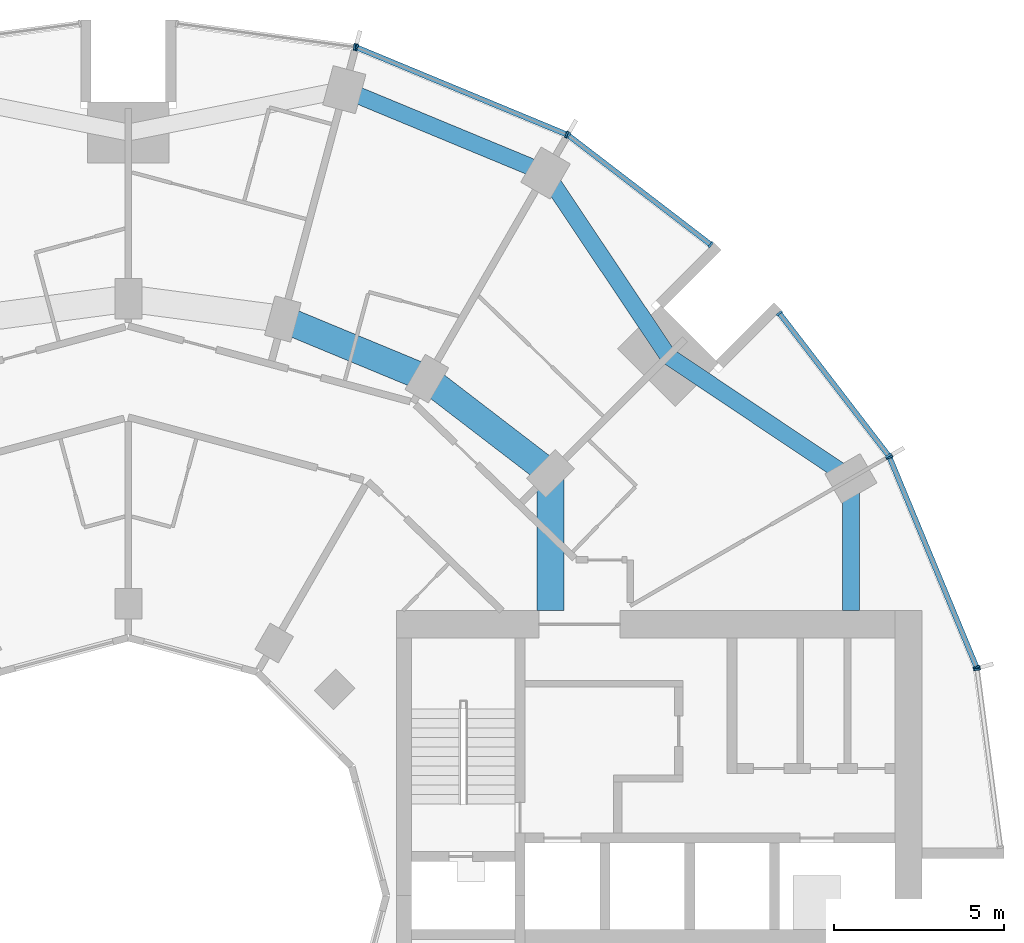
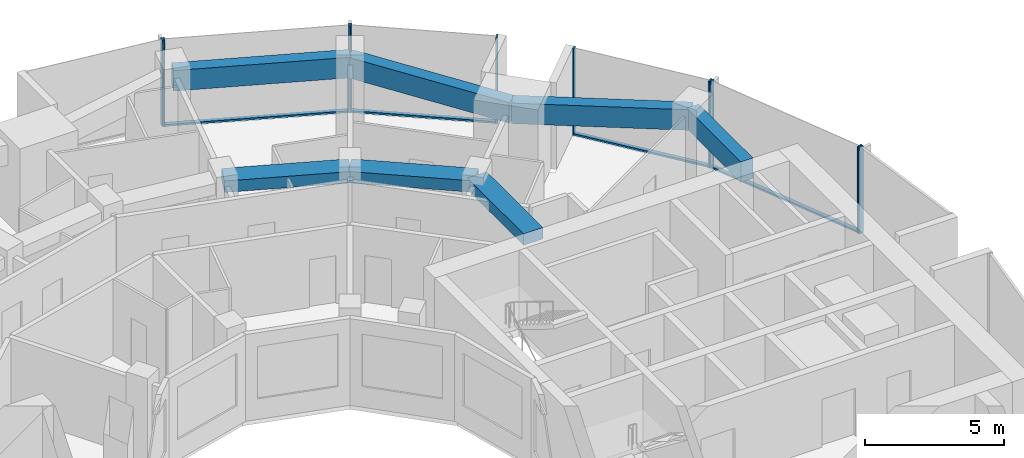
# One storey, part 6 of 15: 14 members, 7 beams, 6 elements without a shape of their own.
"""IFC4 building model written with IfcOpenShell, lengths in metres."""

import ifcopenshell
import ifcopenshell.guid

model = None  # the IFC model being written
_history = None  # IfcOwnerHistory: only IFC2X3 demands one
_inside = {}  # id of a spatial element -> (the spatial element, [elements in it])
_under = {}  # id of a project, library or spatial element -> (it, [spatial elements below it])
_declared = {}  # id of a project -> (the project, [libraries it declares])
_typed = {}  # id of a type object -> (the type object, [elements of that type])
_made_of = {}  # id of a material, layer set ... -> (it, [elements and type objects made of it])


def new_model(schema):
    """Start an empty IFC model of exactly this schema.

    Asked for "IFC4X3", IfcOpenShell would pick the latest addendum, in which some entities
    have other attributes; the version numbers below select the first issue.
    IFC2X3 requires an IfcOwnerHistory on every rooted entity: one is made here for all.
    """
    global model, _history
    if schema == "IFC4X3":
        model = ifcopenshell.file(schema_version=(4, 3, 0, 0))
    else:
        model = ifcopenshell.file(schema=schema)
    _inside.clear()
    _under.clear()
    _declared.clear()
    _typed.clear()
    _made_of.clear()
    _history = None
    if model.schema == "IFC2X3":
        org = make("IfcOrganization", Name="unknown")
        user = make(
            "IfcPersonAndOrganization",
            ThePerson=make("IfcPerson", FamilyName="unknown"),
            TheOrganization=org,
        )
        app = make(
            "IfcApplication",
            ApplicationDeveloper=org,
            Version="unknown",
            ApplicationFullName="unknown",
            ApplicationIdentifier="unknown",
        )
        _history = make(
            "IfcOwnerHistory",
            OwningUser=user,
            OwningApplication=app,
            ChangeAction="ADDED",
            CreationDate=0,
        )
    return model


def make(cls, **values):
    """One entity of the class cls with the attributes given. An attribute that is None is left unset."""
    return model.create_entity(
        cls, **{name: value for name, value in values.items() if value is not None}
    )


def rooted(cls, **values):
    """An entity with a GlobalId (a new one), such as an element, a storey or a relation."""
    return make(cls, GlobalId=ifcopenshell.guid.new(), OwnerHistory=_history, **values)


def si_unit(unit_type, name, prefix=None):
    """IfcSIUnit, for example si_unit("LENGTHUNIT", "METRE", prefix="MILLI")."""
    return make("IfcSIUnit", UnitType=unit_type, Prefix=prefix, Name=name)


def assignment(units):
    """IfcUnitAssignment: the units of a project."""
    return None if units is None else make("IfcUnitAssignment", Units=units)


def point(xyz):
    """IfcCartesianPoint."""
    return None if xyz is None else make("IfcCartesianPoint", Coordinates=xyz)


def direction(xyz):
    """IfcDirection."""
    return None if xyz is None else make("IfcDirection", DirectionRatios=xyz)


def frame(location, z_axis=None, x_axis=None):
    """IfcAxis2Placement3D, a coordinate frame: its origin and axes. An axis left out is left unset."""
    return make(
        "IfcAxis2Placement3D",
        Location=point(location),
        Axis=direction(z_axis),
        RefDirection=direction(x_axis),
    )


def frame_2d(location, x_axis=None):
    """IfcAxis2Placement2D, a coordinate frame in the plane: its origin and x axis."""
    return make(
        "IfcAxis2Placement2D", Location=point(location), RefDirection=direction(x_axis)
    )


def origin():
    """The frame at (0, 0, 0) with its axes left unset."""
    return frame((0.0, 0.0, 0.0))


def origin_2d():
    """The frame at (0, 0) in the plane with its x axis left unset."""
    return frame_2d((0.0, 0.0))


def place(relative_to, where):
    """IfcLocalPlacement: puts the frame where relative to a parent placement (None: the world)."""
    return make(
        "IfcLocalPlacement", PlacementRelTo=relative_to, RelativePlacement=where
    )


def context(
    kind, dimensions, precision=None, world=None, true_north=None, identifier=None
):
    """IfcGeometricRepresentationContext, for example the 3D "Model" context."""
    return make(
        "IfcGeometricRepresentationContext",
        ContextIdentifier=identifier,
        ContextType=kind,
        CoordinateSpaceDimension=dimensions,
        Precision=precision,
        WorldCoordinateSystem=world,
        TrueNorth=true_north,
    )


def subcontext(parent, identifier, kind, view, scale=None):
    """IfcGeometricRepresentationSubContext, for example "Body" below "Model"."""
    return make(
        "IfcGeometricRepresentationSubContext",
        ContextIdentifier=identifier,
        ContextType=kind,
        ParentContext=parent,
        TargetScale=scale,
        TargetView=view,
    )


def project(units=None, contexts=None):
    """IfcProject with its units and contexts."""
    return rooted(
        "IfcProject",
        Name="project",
        RepresentationContexts=contexts,
        UnitsInContext=assignment(units),
    )


def spatial(cls, under=None, at=None, **own):
    """A site, building, storey or space (cls), placed at a placement, below another one or the project."""
    s = rooted(cls, ObjectPlacement=at, **own)
    if under is not None:
        _under.setdefault(under.id(), (under, []))[1].append(s)
    return s


def profile(cls, at=None, kind="AREA", **sizes):
    """A parametric profile (cls). Its sizes go by their IFC names, for example OverallWidth=200.0."""
    return make(cls, ProfileType=kind, Position=at, **sizes)


def rectangle(**sizes):
    """IfcRectangleProfileDef."""
    return profile("IfcRectangleProfileDef", **sizes)


def extrude(swept, where, along, depth):
    """IfcExtrudedAreaSolid: the profile swept, set in the frame where, extruded along a direction by depth."""
    return make(
        "IfcExtrudedAreaSolid",
        SweptArea=swept,
        Position=where,
        ExtrudedDirection=direction(along),
        Depth=depth,
    )


def shape(context_of_items, identifier, shape_type, items):
    """IfcShapeRepresentation: the items that make up one representation, for example the "Body"."""
    return make(
        "IfcShapeRepresentation",
        ContextOfItems=context_of_items,
        RepresentationIdentifier=identifier,
        RepresentationType=shape_type,
        Items=items,
    )


def material(Name=None, Category=None):
    """IfcMaterial."""
    return make("IfcMaterial", Name=Name, Category=Category)


def layer(
    of_material, thickness, ventilated=None, Name=None, Category=None, Priority=None
):
    """IfcMaterialLayer: one layer of a wall or slab, of a material (None: an air gap)."""
    return make(
        "IfcMaterialLayer",
        Material=of_material,
        LayerThickness=thickness,
        IsVentilated=ventilated,
        Name=Name,
        Category=Category,
        Priority=Priority,
    )


def layer_set(layers, Name=None):
    """IfcMaterialLayerSet."""
    return make("IfcMaterialLayerSet", MaterialLayers=layers, LayerSetName=Name)


def material_profile(
    of_material, cross_section, Name=None, Category=None, Priority=None
):
    """IfcMaterialProfile: a cross section and its material."""
    return make(
        "IfcMaterialProfile",
        Name=Name,
        Material=of_material,
        Profile=cross_section,
        Priority=Priority,
        Category=Category,
    )


def profile_set(profiles, Name=None, composite=None):
    """IfcMaterialProfileSet."""
    return make(
        "IfcMaterialProfileSet",
        Name=Name,
        MaterialProfiles=profiles,
        CompositeProfile=composite,
    )


def made_of(thing, what):
    """Note that an element or type object is made of a material, layer set ...; save() writes the relation."""
    if what is not None:
        _made_of.setdefault(what.id(), (what, []))[1].append(thing)
    return thing


def type_object(cls, material=None, **own):
    """A type object (cls), such as IfcWallType, which elements share."""
    return made_of(rooted(cls, **own), material)


def element(
    cls,
    number,
    at=None,
    inside=None,
    cuts=None,
    type_object=None,
    material=None,
    context=None,
    identifier="Body",
    shape_type=None,
    held_by="IfcProductDefinitionShape",
    body=None,
    shapes=None,
    **own,
):
    """One element of the class cls, such as IfcWall. Its Tag is "e" and its number.

    at: its placement. inside: the storey or other place that contains it. cuts: it is an
    opening in that element (IfcRelVoidsElement). A single representation is given by context,
    identifier, shape_type and body (its items); several are given by shapes. held_by: the class
    of the entity that holds the representations. save() writes the other relations.
    """
    e = rooted(cls, Tag="e%d" % number, ObjectPlacement=at, **own)
    if body is not None:
        shapes = [shape(context, identifier, shape_type, body)]
    if shapes is not None:
        e.Representation = make(held_by, Representations=shapes)
    if inside is not None:
        _inside.setdefault(inside.id(), (inside, []))[1].append(e)
    if cuts is not None:
        rooted(
            "IfcRelVoidsElement", RelatingBuildingElement=cuts, RelatedOpeningElement=e
        )
    if type_object is not None:
        _typed.setdefault(type_object.id(), (type_object, []))[1].append(e)
    return made_of(e, material)


def aggregate(whole, parts):
    """IfcRelAggregates: a whole, such as a stair, and the parts it consists of."""
    return rooted("IfcRelAggregates", RelatingObject=whole, RelatedObjects=parts)


def save(model, path):
    """Write the relations noted so far, then the file.

    IfcRelAggregates (storeys below a building ...), IfcRelContainedInSpatialStructure (elements
    in a storey), IfcRelDefinesByType, IfcRelAssociatesMaterial and IfcRelDeclares: one each for
    every whole, place, type object, material and project.
    """
    for whole, parts in _under.values():
        aggregate(whole, parts)
    for where, things in _inside.values():
        rooted(
            "IfcRelContainedInSpatialStructure",
            RelatedElements=things,
            RelatingStructure=where,
        )
    for kind, things in _typed.values():
        rooted("IfcRelDefinesByType", RelatedObjects=things, RelatingType=kind)
    for what, things in _made_of.values():
        rooted("IfcRelAssociatesMaterial", RelatedObjects=things, RelatingMaterial=what)
    for by, libraries in _declared.values():
        rooted("IfcRelDeclares", RelatingContext=by, RelatedDefinitions=libraries)
    model.write(path)


model = new_model("IFC4")

# Units and contexts
model_context = context("Model", 3, precision=1e-05, world=origin(), true_north=direction((0.0, 1.0)))
body_context = subcontext(model_context, "Body", "Model", "MODEL_VIEW")
ifc_project = project(units=[si_unit("LENGTHUNIT", "METRE"), si_unit("AREAUNIT", "SQUARE_METRE"), si_unit("VOLUMEUNIT", "CUBIC_METRE"), si_unit("PLANEANGLEUNIT", "RADIAN"), si_unit("MASSUNIT", "GRAM", prefix="KILO")], contexts=[model_context])

# Site, building, storey
site_placement = place(None, origin())
site = spatial("IfcSite", under=ifc_project, at=site_placement, CompositionType="ELEMENT")
building_placement = place(site_placement, origin())
building = spatial("IfcBuilding", under=site, at=building_placement, Name="Torre Brocal", CompositionType="ELEMENT")
storey_placement = place(building_placement, frame((0.0, 0.0, 105.199951171875)))
storey = spatial("IfcBuildingStorey", under=building, at=storey_placement, Name="L24", CompositionType="ELEMENT", Elevation=105.199951171875)

# Curtain wall, members
ifc_material_1 = material(Name="Aluminium and glass", Category="aluminium")
ifc_layer_1 = layer(ifc_material_1, 0.199951171875)
ifc_layer_set_1 = layer_set([ifc_layer_1], Name="Aluminium and glass")
curtain_wall_type_1 = type_object("IfcCurtainWallType", Name="CW-1 CURTAIN WALL 3800 HIGH", PredefinedType="NOTDEFINED", material=ifc_layer_set_1)
curtain_wall_1_placement = place(storey_placement, origin())
curtain_wall_1 = element("IfcCurtainWall", 1, at=curtain_wall_1_placement, inside=storey, type_object=curtain_wall_type_1, Name="CW-1 RUN 2", PredefinedType="NOTDEFINED")
ifc_material_2 = material(Name="Aluminium, dark anodised", Category="aluminium")
ifc_material_profile_1 = material_profile(ifc_material_2, rectangle(XDim=0.199951171875, YDim=0.06005859375, at=origin_2d()), Name="CW-1 MULLION 60X200")
ifc_profile_set_1 = profile_set([ifc_material_profile_1], Name="Aluminium, dark anodised")
member_type_1 = type_object("IfcMemberType", Name="CW-1 MULLION 60X200", PredefinedType="MULLION", material=ifc_profile_set_1)
member_1_placement = place(storey_placement, frame((105.005126953125, 81.73095703125, 0.0), z_axis=(0.0, 0.0, 1.0), x_axis=(-0.923879532525, -0.382683432333, 0.0)))
member_1 = element("IfcMember", 2, at=member_1_placement, type_object=member_type_1, Name="CW1-1 mullion 1", PredefinedType="MULLION", context=body_context, shape_type="SweptSolid", body=[
    extrude(rectangle(XDim=0.199951171875, YDim=0.06005859375, at=origin_2d()), origin(), (0.0, 0.0, 1.0), 3.800048828125),
])
member_2_placement = place(storey_placement, frame((102.440673828125, 87.921875, 0.0), z_axis=(0.0, 0.0, 1.0), x_axis=(-0.923879532525, -0.382683432333, 0.0)))
member_2 = element("IfcMember", 3, at=member_2_placement, type_object=member_type_1, Name="CW1-1 mullion 2", PredefinedType="MULLION", context=body_context, shape_type="SweptSolid", body=[
    extrude(rectangle(XDim=0.199951171875, YDim=0.06005859375, at=origin_2d()), origin(), (0.0, 0.0, 1.0), 3.800048828125),
])

curtain_wall_2_placement = place(storey_placement, origin())
curtain_wall_2 = element("IfcCurtainWall", 4, at=curtain_wall_2_placement, inside=storey, type_object=curtain_wall_type_1, Name="CW-1 RUN 3", PredefinedType="NOTDEFINED")
member_3_placement = place(storey_placement, frame((102.4111328125, 87.973388671875, 0.0), z_axis=(0.0, 0.0, 1.0), x_axis=(-0.793353340259, -0.60876142905, 0.0)))
member_3 = element("IfcMember", 5, at=member_3_placement, type_object=member_type_1, Name="CW1-1 mullion 1", PredefinedType="MULLION", context=body_context, shape_type="SweptSolid", body=[
    extrude(rectangle(XDim=0.199951171875, YDim=0.06005859375, at=origin_2d()), origin(), (0.0, 0.0, 1.0), 3.800048828125),
])
member_4_placement = place(storey_placement, frame((99.19140625, 92.16943359375, 0.0), z_axis=(0.0, 0.0, 1.0), x_axis=(-0.793353340259, -0.60876142905, 0.0)))
member_4 = element("IfcMember", 6, at=member_4_placement, type_object=member_type_1, Name="CW1-1 mullion 2", PredefinedType="MULLION", context=body_context, shape_type="SweptSolid", body=[
    extrude(rectangle(XDim=0.199951171875, YDim=0.06005859375, at=origin_2d()), origin(), (0.0, 0.0, 1.0), 3.800048828125),
])

curtain_wall_3_placement = place(storey_placement, origin())
curtain_wall_3 = element("IfcCurtainWall", 7, at=curtain_wall_3_placement, inside=storey, type_object=curtain_wall_type_1, Name="CW-1 RUN 4", PredefinedType="NOTDEFINED")
member_5_placement = place(storey_placement, frame((97.16943359375, 94.19140625, 0.0), z_axis=(0.0, 0.0, 1.0), x_axis=(-0.60876142905, -0.793353340259, 0.0)))
member_5 = element("IfcMember", 8, at=member_5_placement, type_object=member_type_1, Name="CW1-1 mullion 1", PredefinedType="MULLION", context=body_context, shape_type="SweptSolid", body=[
    extrude(rectangle(XDim=0.199951171875, YDim=0.06005859375, at=origin_2d()), origin(), (0.0, 0.0, 1.0), 3.800048828125),
])
member_6_placement = place(storey_placement, frame((92.973388671875, 97.4111328125, 0.0), z_axis=(0.0, 0.0, 1.0), x_axis=(-0.60876142905, -0.793353340259, 0.0)))
member_6 = element("IfcMember", 9, at=member_6_placement, type_object=member_type_1, Name="CW1-1 mullion 2", PredefinedType="MULLION", context=body_context, shape_type="SweptSolid", body=[
    extrude(rectangle(XDim=0.199951171875, YDim=0.06005859375, at=origin_2d()), origin(), (0.0, 0.0, 1.0), 3.800048828125),
])

curtain_wall_4_placement = place(storey_placement, origin())
curtain_wall_4 = element("IfcCurtainWall", 10, at=curtain_wall_4_placement, inside=storey, type_object=curtain_wall_type_1, Name="CW-1 RUN 5", PredefinedType="NOTDEFINED")
member_7_placement = place(storey_placement, frame((92.921875, 97.440673828125, 0.0), z_axis=(0.0, 0.0, 1.0), x_axis=(-0.382683432333, -0.923879532525, 0.0)))
member_7 = element("IfcMember", 11, at=member_7_placement, type_object=member_type_1, Name="CW1-1 mullion 1", PredefinedType="MULLION", context=body_context, shape_type="SweptSolid", body=[
    extrude(rectangle(XDim=0.199951171875, YDim=0.06005859375, at=origin_2d()), origin(), (0.0, 0.0, 1.0), 3.800048828125),
])
member_8_placement = place(storey_placement, frame((86.73095703125, 100.005126953125, 0.0), z_axis=(0.0, 0.0, 1.0), x_axis=(-0.382683432333, -0.923879532525, 0.0)))
member_8 = element("IfcMember", 12, at=member_8_placement, type_object=member_type_1, Name="CW1-1 mullion 2", PredefinedType="MULLION", context=body_context, shape_type="SweptSolid", body=[
    extrude(rectangle(XDim=0.199951171875, YDim=0.06005859375, at=origin_2d()), origin(), (0.0, 0.0, 1.0), 3.800048828125),
])

# Curtain wall, member
curtain_wall_5_placement = place(storey_placement, origin())
curtain_wall_5 = element("IfcCurtainWall", 13, at=curtain_wall_5_placement, inside=storey, type_object=curtain_wall_type_1, Name="CW-1 RUN 6", PredefinedType="NOTDEFINED")
member_9_placement = place(storey_placement, frame((86.67333984375, 100.0205078125, 0.0), z_axis=(0.0, 0.0, 1.0), x_axis=(-0.13052619222, -0.991444861374, 0.0)))
member_9 = element("IfcMember", 14, at=member_9_placement, type_object=member_type_1, Name="CW1-1 mullion 1", PredefinedType="MULLION", context=body_context, shape_type="SweptSolid", body=[
    extrude(rectangle(XDim=0.199951171875, YDim=0.06005859375, at=origin_2d()), origin(), (0.0, 0.0, 1.0), 3.800048828125),
])
aggregate(curtain_wall_5, [member_9])

# Member
ifc_material_3 = material(Name="Aluminium, dark anodised", Category="aluminium")
ifc_material_profile_2 = material_profile(ifc_material_3, rectangle(XDim=0.159912109375, YDim=0.080078125, at=origin_2d()), Name="CW-1 TRANSOM 160X80")
ifc_profile_set_2 = profile_set([ifc_material_profile_2], Name="Aluminium, dark anodised")
member_type_2 = type_object("IfcMemberType", Name="CW-1 TRANSOM 160X80", PredefinedType="USERDEFINED", material=ifc_profile_set_2)
member_10_placement = place(storey_placement, frame((104.99365234375, 81.758544921875, 0.0400390625), z_axis=(-0.38266457234, 0.923887344364, 0.0), x_axis=(-0.923887344364, -0.38266457234, 0.0)))
member_10 = element("IfcMember", 15, at=member_10_placement, type_object=member_type_2, Name="CW1-1 transom 1.1", ObjectType="TRANSOM", PredefinedType="USERDEFINED", context=body_context, shape_type="SweptSolid", body=[
    extrude(rectangle(XDim=0.159912109375, YDim=0.080078125, at=origin_2d()), origin(), (0.0, 0.0, 1.0), 6.640869140625),
])

aggregate(curtain_wall_1, [member_1, member_2, member_10])

member_11_placement = place(storey_placement, frame((102.392822265625, 87.9970703125, 0.0400390625), z_axis=(-0.60874908096, 0.79336281513, 0.0), x_axis=(-0.79336281513, -0.60874908096, 0.0)))
member_11 = element("IfcMember", 16, at=member_11_placement, type_object=member_type_2, Name="CW1-1 transom 1.1", ObjectType="TRANSOM", PredefinedType="USERDEFINED", context=body_context, shape_type="SweptSolid", body=[
    extrude(rectangle(XDim=0.159912109375, YDim=0.080078125, at=origin_2d()), origin(), (0.0, 0.0, 1.0), 5.22900390625),
])

aggregate(curtain_wall_2, [member_3, member_4, member_11])

member_12_placement = place(storey_placement, frame((97.1455078125, 94.209716796875, 0.0400390625), z_axis=(-0.79336281513, 0.60874908096, 0.0), x_axis=(-0.60874908096, -0.79336281513, 0.0)))
member_12 = element("IfcMember", 17, at=member_12_placement, type_object=member_type_2, Name="CW1-1 transom 1.1", ObjectType="TRANSOM", PredefinedType="USERDEFINED", context=body_context, shape_type="SweptSolid", body=[
    extrude(rectangle(XDim=0.159912109375, YDim=0.080078125, at=origin_2d()), origin(), (0.0, 0.0, 1.0), 5.22900390625),
])

aggregate(curtain_wall_3, [member_5, member_6, member_12])

member_13_placement = place(storey_placement, frame((92.89404296875, 97.452392578125, 0.0400390625), z_axis=(-0.923887344364, 0.38266457234, 0.0), x_axis=(-0.38266457234, -0.923887344364, 0.0)))
member_13 = element("IfcMember", 18, at=member_13_placement, type_object=member_type_2, Name="CW1-1 transom 1.1", ObjectType="TRANSOM", PredefinedType="USERDEFINED", context=body_context, shape_type="SweptSolid", body=[
    extrude(rectangle(XDim=0.159912109375, YDim=0.080078125, at=origin_2d()), origin(), (0.0, 0.0, 1.0), 6.640869140625),
])

aggregate(curtain_wall_4, [member_7, member_8, member_13])

# Curtain wall, member
ifc_material_4 = material(Name="Aluminium and glass", Category="aluminium")
ifc_layer_2 = layer(ifc_material_4, 0.199951171875)
ifc_layer_set_2 = layer_set([ifc_layer_2], Name="Aluminium and glass")
curtain_wall_type_2 = type_object("IfcCurtainWallType", Name="CW-1B CURTAIN WALL 3800 HIGH", PredefinedType="NOTDEFINED", material=ifc_layer_set_2)
curtain_wall_6_placement = place(storey_placement, origin())
curtain_wall_6 = element("IfcCurtainWall", 19, at=curtain_wall_6_placement, inside=storey, type_object=curtain_wall_type_2, Name="CW-1B RUN 1", PredefinedType="NOTDEFINED")
ifc_material_5 = material(Name="Aluminium, dark anodised", Category="aluminium")
ifc_material_profile_3 = material_profile(ifc_material_5, rectangle(XDim=0.199951171875, YDim=0.06005859375, at=origin_2d()), Name="CW-1B MULLION 60X200")
ifc_profile_set_3 = profile_set([ifc_material_profile_3], Name="Aluminium, dark anodised")
member_type_3 = type_object("IfcMemberType", Name="CW-1B MULLION 60X200", PredefinedType="MULLION", material=ifc_profile_set_3)
member_14_placement = place(storey_placement, frame((105.0205078125, 81.67333984375, 0.0), z_axis=(0.0, 0.0, 1.0), x_axis=(-0.991444861374, -0.13052619222, 0.0)))
member_14 = element("IfcMember", 20, at=member_14_placement, type_object=member_type_3, Name="CW1B-1 mullion 2", PredefinedType="MULLION", context=body_context, shape_type="SweptSolid", body=[
    extrude(rectangle(XDim=0.199951171875, YDim=0.06005859375, at=origin_2d()), origin(), (0.0, 0.0, 1.0), 3.800048828125),
])
aggregate(curtain_wall_6, [member_14])

# Beams
ifc_material_6 = material(Name="Concrete C50", Category="concrete")
ifc_material_profile_4 = material_profile(ifc_material_6, rectangle(XDim=0.800048828125, YDim=0.5, at=origin_2d()), Name="RC 800X500")
ifc_profile_set_4 = profile_set([ifc_material_profile_4], Name="Concrete C50")
beam_type_1 = type_object("IfcBeamType", Name="RC BEAM 800X500 C50 TOP 3450", PredefinedType="BEAM", material=ifc_profile_set_4)
beam_1_placement = place(storey_placement, frame((92.445068359375, 87.445068359375, 3.199951171875), z_axis=(-0.793358265959, 0.6087550097, 0.0), x_axis=(-0.6087550097, -0.793358265959, 0.0)))
element("IfcBeam", 21, at=beam_1_placement, inside=storey, type_object=beam_type_1, Name="Beam BT-25", PredefinedType="BEAM", context=body_context, shape_type="SweptSolid", body=[
    extrude(rectangle(XDim=0.800048828125, YDim=0.5, at=origin_2d()), origin(), (0.0, 0.0, 1.0), 4.594482421875),
])
beam_2_placement = place(storey_placement, frame((88.800048828125, 90.241943359375, 3.199951171875), z_axis=(-0.923878240166, 0.382686552348, 0.0), x_axis=(-0.382686552348, -0.923878240166, 0.0)))
element("IfcBeam", 22, at=beam_2_placement, inside=storey, type_object=beam_type_1, Name="Beam BT-25", PredefinedType="BEAM", context=body_context, shape_type="SweptSolid", body=[
    extrude(rectangle(XDim=0.800048828125, YDim=0.5, at=origin_2d()), origin(), (0.0, 0.0, 1.0), 4.5947265625),
])
beam_3_placement = place(storey_placement, frame((92.445068359375, 87.445068359375, 3.199951171875), z_axis=(0.0, -1.0, 0.0), x_axis=(1.0, 0.0, 0.0)))
element("IfcBeam", 23, at=beam_3_placement, inside=storey, type_object=beam_type_1, Name="Beam BT-25", PredefinedType="BEAM", context=body_context, shape_type="SweptSolid", body=[
    extrude(rectangle(XDim=0.800048828125, YDim=0.5, at=origin_2d()), origin(), (0.0, 0.0, 1.0), 4.045166015625),
])
ifc_material_7 = material(Name="Concrete C50", Category="concrete")
ifc_material_profile_5 = material_profile(ifc_material_7, rectangle(XDim=0.5, YDim=0.89990234375, at=origin_2d()), Name="RC 500X900")
ifc_profile_set_5 = profile_set([ifc_material_profile_5], Name="Concrete C50")
beam_type_2 = type_object("IfcBeamType", Name="RC SPANDREL BEAM 500X900 C50 TOP 3450", PredefinedType="SPANDREL", material=ifc_profile_set_5)
for number, where, z_axis, x_axis, name in (
    (24, (101.30419921875, 87.300048828125, 3.0), (-0.831076844476, 0.556157602282, 0.0), (-0.556157602282, -0.831076844476, 0.0), "Beam BT-26"),
    (25, (95.909912109375, 90.909912109375, 3.0), (-0.556157602282, 0.831076844476, 0.0), (-0.831076844476, -0.556157602282, 0.0), "Beam BT-26"),
):
    element("IfcBeam", number, at=place(storey_placement, frame(where, z_axis=z_axis, x_axis=x_axis)), inside=storey, type_object=beam_type_2, Name=name, PredefinedType="SPANDREL", context=body_context, shape_type="SweptSolid", body=[
        extrude(rectangle(XDim=0.5, YDim=0.89990234375, at=origin_2d()), origin(), (0.0, 0.0, 1.0), 6.49072265625),
    ])
beam_4_placement = place(storey_placement, frame((92.300048828125, 96.30419921875, 3.0), z_axis=(-0.923882462513, 0.382676358639, 0.0), x_axis=(-0.382676358639, -0.923882462513, 0.0)))
element("IfcBeam", 26, at=beam_4_placement, inside=storey, type_object=beam_type_2, Name="Beam BT-26", PredefinedType="SPANDREL", context=body_context, shape_type="SweptSolid", body=[
    extrude(rectangle(XDim=0.5, YDim=0.89990234375, at=origin_2d()), origin(), (0.0, 0.0, 1.0), 6.421875),
])
beam_5_placement = place(storey_placement, frame((101.30419921875, 87.300048828125, 3.0), z_axis=(0.0, -1.0, 0.0), x_axis=(1.0, 0.0, 0.0)))
element("IfcBeam", 27, at=beam_5_placement, inside=storey, type_object=beam_type_2, Name="Beam BT-26", PredefinedType="SPANDREL", context=body_context, shape_type="SweptSolid", body=[
    extrude(rectangle(XDim=0.5, YDim=0.89990234375, at=origin_2d()), origin(), (0.0, 0.0, 1.0), 3.900146484375),
])

save(model, "model.ifc")
